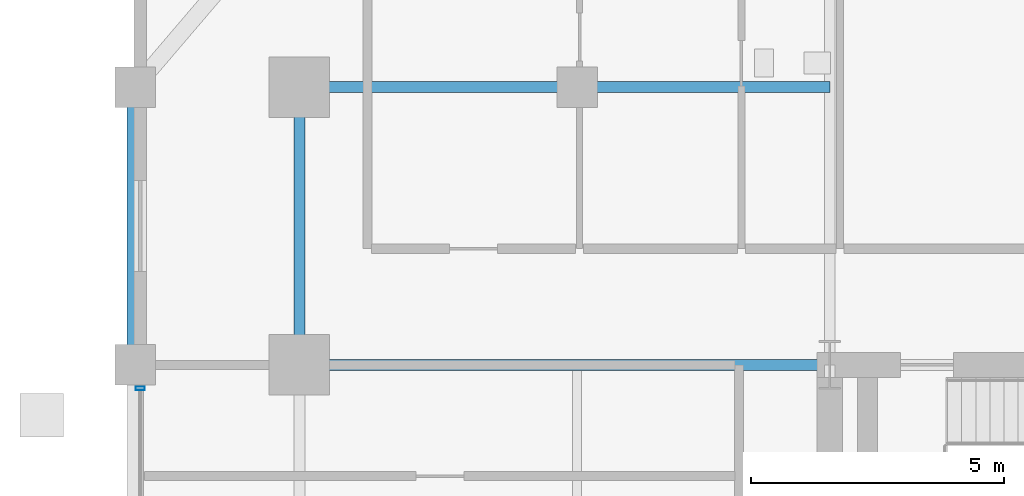
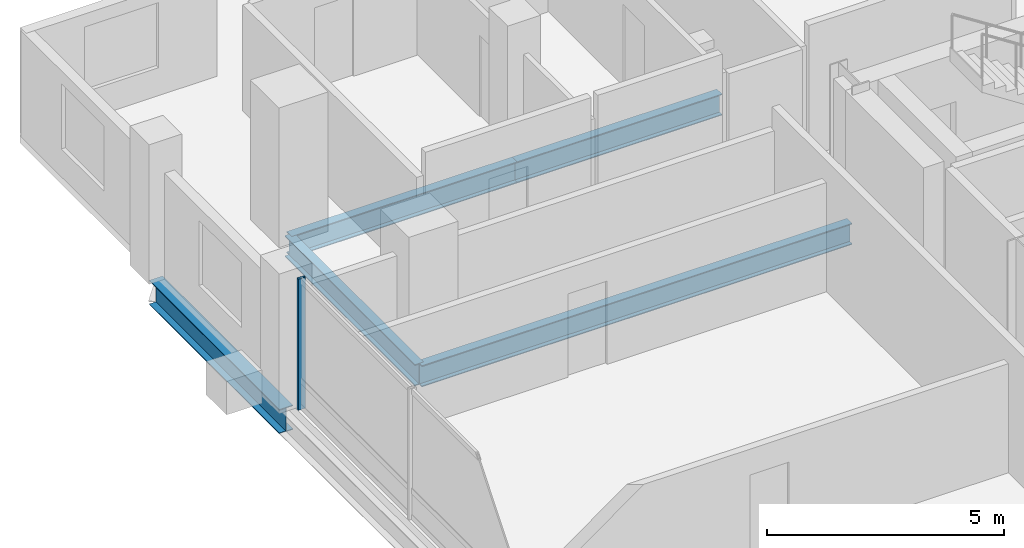
# One storey, part 8 of 20: 5 beams, 1 member, 1 element without a shape of its own.
"""IFC4 building model written with IfcOpenShell, lengths in metres."""

from ifc_helpers import new_model, si_unit, direction, frame, origin, origin_2d, place, context, subcontext, project, spatial, hollow_rectangle, i_section, extrude, material, layer, layer_set, material_profile, profile_set, type_object, element, aggregate, save


model = new_model("IFC4")

# Units and contexts
model_context = context("Model", 3, precision=1e-05, world=origin(), true_north=direction((0.0, 1.0)))
body_context = subcontext(model_context, "Body", "Model", "MODEL_VIEW")
ifc_project = project(units=[si_unit("LENGTHUNIT", "METRE"), si_unit("AREAUNIT", "SQUARE_METRE"), si_unit("VOLUMEUNIT", "CUBIC_METRE"), si_unit("PLANEANGLEUNIT", "RADIAN"), si_unit("MASSUNIT", "GRAM", prefix="KILO")], contexts=[model_context])

# Site, building, storey
site_placement = place(None, origin())
site = spatial("IfcSite", under=ifc_project, at=site_placement, CompositionType="ELEMENT")
building_placement = place(site_placement, origin())
building = spatial("IfcBuilding", under=site, at=building_placement, Name="Barlavira Tower and Art Museum", CompositionType="ELEMENT")
storey_placement = place(building_placement, frame((0.0, 0.0, 147.60009765625)))
storey = spatial("IfcBuildingStorey", under=building, at=storey_placement, Name="L37", CompositionType="ELEMENT", Elevation=147.60009765625)

# Curtain wall, member
ifc_material_1 = material(Name="Low-iron coastal laminated glass", Category="glass")
ifc_layer = layer(ifc_material_1, 0.18994140625, Name="Low-iron coastal laminated glass")
ifc_layer_set = layer_set([ifc_layer], Name="Low-iron coastal laminated glass")
curtain_wall_type = type_object("IfcCurtainWallType", Name="Pale-Metal Unitised Curtain Wall Zone 2", PredefinedType="NOTDEFINED", material=ifc_layer_set)
curtain_wall_placement = place(storey_placement, origin())
curtain_wall = element("IfcCurtainWall", 1, at=curtain_wall_placement, inside=storey, type_object=curtain_wall_type, Name="L37 Curtain Wall CW2-L37-W-B3", PredefinedType="NOTDEFINED")
ifc_material_2 = material(Name="Pale anodised aluminium", Category="aluminium")
ifc_material_profile_1 = material_profile(ifc_material_2, hollow_rectangle(XDim=0.06494140625, YDim=0.179931640625, WallThickness=0.00390625, at=origin_2d()), Name="ALU-MULL 65x180x4")
ifc_profile_set_1 = profile_set([ifc_material_profile_1], Name="Pale anodised aluminium")
member_type = type_object("IfcMemberType", Name="Curtain Wall Pale-Metal Mullion 65x180", PredefinedType="MULLION", material=ifc_profile_set_1)
member_placement = place(storey_placement, frame((-20.14990234375, 7.034912109375, 0.0), z_axis=(0.0, 0.0, 1.0), x_axis=(0.0, -1.0, 0.0)))
member = element("IfcMember", 2, at=member_placement, type_object=member_type, Name="CW2-L37-W-B3 Mullion 0", PredefinedType="MULLION", context=body_context, shape_type="SweptSolid", body=[
    extrude(hollow_rectangle(XDim=0.06494140625, YDim=0.179931640625, WallThickness=0.00390625, at=origin_2d()), origin(), (0.0, 0.0, 1.0), 3.3798828125),
])
aggregate(curtain_wall, [member])

# Beams
ifc_material_3 = material(Name="Steel S355", Category="steel")
ifc_material_profile_2 = material_profile(ifc_material_3, i_section(OverallWidth=0.327880859375, OverallDepth=0.62890625, WebThickness=0.013916015625, FlangeThickness=0.021484375, at=origin_2d()), Name="W610x174.0")
ifc_profile_set_2 = profile_set([ifc_material_profile_2], Name="Steel S355")
beam_type_1 = type_object("IfcBeamType", Name="Perimeter Spandrel Edge Beam W610x174 Steel S355", PredefinedType="SPANDREL", material=ifc_profile_set_2)
beam_1_placement = place(storey_placement, frame((-20.25, 7.5, -0.53466796875), z_axis=(0.0, 1.0, 0.0), x_axis=(-1.0, 0.0, 0.0)))
element("IfcBeam", 3, at=beam_1_placement, inside=storey, type_object=beam_type_1, Name="L37 Spandrel 13", PredefinedType="SPANDREL", context=body_context, shape_type="SweptSolid", body=[
    extrude(i_section(OverallWidth=0.327880859375, OverallDepth=0.62890625, WebThickness=0.013916015625, FlangeThickness=0.021484375, at=origin_2d()), origin(), (0.0, 0.0, 1.0), 5.5),
])
ifc_material_profile_3 = material_profile(ifc_material_3, i_section(OverallWidth=0.214111328125, OverallDepth=0.549072265625, WebThickness=0.0146484375, FlangeThickness=0.023681640625, at=origin_2d()), Name="W530x138.0")
ifc_profile_set_3 = profile_set([ifc_material_profile_3], Name="Steel S355")
beam_type_2 = type_object("IfcBeamType", Name="Zone 1 Primary Floor Girder W530x138 Steel S355", PredefinedType="BEAM", material=ifc_profile_set_3)
beam_2_placement = place(storey_placement, frame((-17.0, 7.5, -0.49462890625), z_axis=(0.0, 1.0, 0.0), x_axis=(-1.0, 0.0, 0.0)))
element("IfcBeam", 4, at=beam_2_placement, inside=storey, type_object=beam_type_2, Name="L37 Girder M-W3", PredefinedType="BEAM", context=body_context, shape_type="SweptSolid", body=[
    extrude(i_section(OverallWidth=0.214111328125, OverallDepth=0.549072265625, WebThickness=0.0146484375, FlangeThickness=0.023681640625, at=origin_2d()), origin(), (0.0, 0.0, 1.0), 5.5),
])
beam_3_placement = place(storey_placement, frame((-17.0, 7.5, -0.49462890625), z_axis=(1.0, 0.0, 0.0), x_axis=(0.0, 1.0, 0.0)))
element("IfcBeam", 5, at=beam_3_placement, inside=storey, type_object=beam_type_2, Name="L37 Girder R-W2", PredefinedType="BEAM", context=body_context, shape_type="SweptSolid", body=[
    extrude(i_section(OverallWidth=0.214111328125, OverallDepth=0.549072265625, WebThickness=0.0146484375, FlangeThickness=0.023681640625, at=origin_2d()), origin(), (0.0, 0.0, 1.0), 10.5),
])
beam_4_placement = place(storey_placement, frame((-17.0, 13.0, -0.49462890625), z_axis=(1.0, 0.0, 0.0), x_axis=(0.0, 1.0, 0.0)))
element("IfcBeam", 6, at=beam_4_placement, inside=storey, type_object=beam_type_2, Name="L37 Girder I-N1", PredefinedType="BEAM", context=body_context, shape_type="SweptSolid", body=[
    extrude(i_section(OverallWidth=0.214111328125, OverallDepth=0.549072265625, WebThickness=0.0146484375, FlangeThickness=0.023681640625, at=origin_2d()), origin(), (0.0, 0.0, 1.0), 5.5),
])
beam_5_placement = place(storey_placement, frame((-11.5, 13.0, -0.49462890625), z_axis=(1.0, 0.0, 0.0), x_axis=(0.0, 1.0, 0.0)))
element("IfcBeam", 7, at=beam_5_placement, inside=storey, type_object=beam_type_2, Name="L37 Girder I-N2", PredefinedType="BEAM", context=body_context, shape_type="SweptSolid", body=[
    extrude(i_section(OverallWidth=0.214111328125, OverallDepth=0.549072265625, WebThickness=0.0146484375, FlangeThickness=0.023681640625, at=origin_2d()), origin(), (0.0, 0.0, 1.0), 5.0),
])

save(model, "model.ifc")
